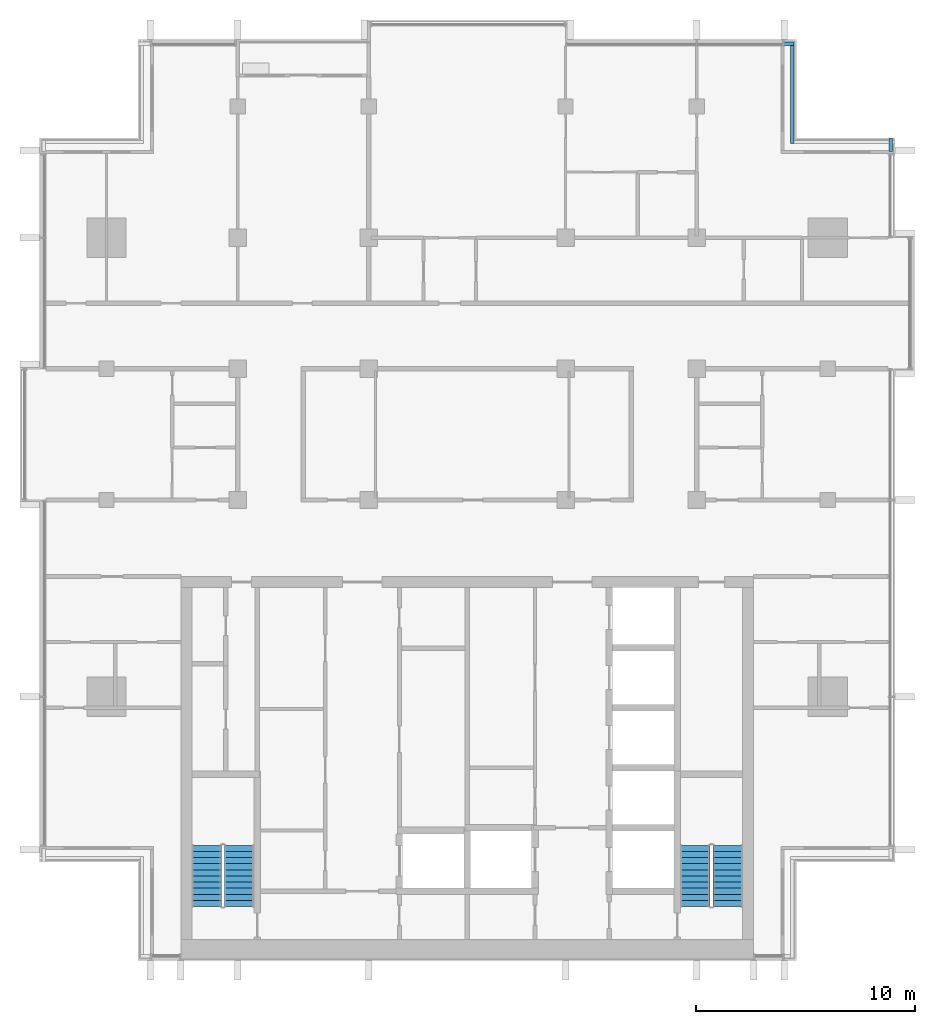
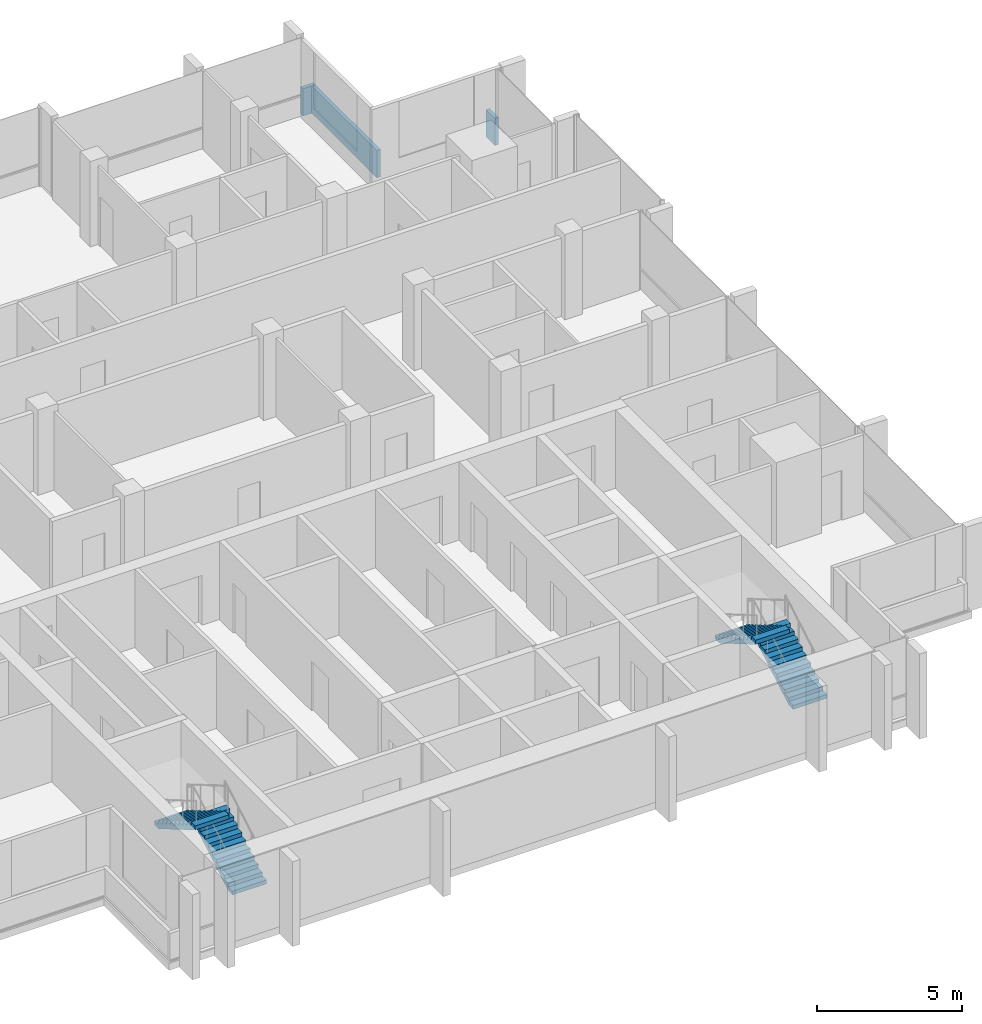
# One storey, part 11 of 16: 4 stair flights, 3 walls, 2 elements without a shape of their own.
"""IFC4 building model written with IfcOpenShell, lengths in metres."""

from ifc_helpers import new_model, si_unit, direction, frame, frame_2d, origin, place, context, subcontext, project, spatial, polyline, rectangle, outline, extrude, material, layer, layer_set, type_object, element, aggregate, save


model = new_model("IFC4")

# Units and contexts
model_context = context("Model", 3, precision=1e-05, world=origin(), true_north=direction((0.0, 1.0)))
body_context = subcontext(model_context, "Body", "Model", "MODEL_VIEW")
ifc_project = project(units=[si_unit("LENGTHUNIT", "METRE"), si_unit("AREAUNIT", "SQUARE_METRE"), si_unit("VOLUMEUNIT", "CUBIC_METRE"), si_unit("PLANEANGLEUNIT", "RADIAN"), si_unit("MASSUNIT", "GRAM", prefix="KILO")], contexts=[model_context])

# Site, building, storey
site_placement = place(None, origin())
site = spatial("IfcSite", under=ifc_project, at=site_placement, CompositionType="ELEMENT")
building_placement = place(site_placement, origin())
building = spatial("IfcBuilding", under=site, at=building_placement, Name="Finial Court Residences", CompositionType="ELEMENT")
storey_placement = place(building_placement, frame((0.0, 0.0, 255.5)))
storey = spatial("IfcBuildingStorey", under=building, at=storey_placement, Name="L64", CompositionType="ELEMENT", Elevation=255.5)

# Walls
ifc_material_1 = material(Name="Concrete C35/45", Category="concrete")
ifc_layer = layer(ifc_material_1, 0.14990234375)
ifc_layer_set = layer_set([ifc_layer], Name="Ledge parapet, Concrete C35/45 150")
wall_type = type_object("IfcWallType", Name="Ledge parapet, Concrete C35/45 150", PredefinedType="PARAPET", material=ifc_layer_set)
wall_1_placement = place(storey_placement, frame((19.375, 12.0625, 0.0), z_axis=(0.0, 0.0, 1.0), x_axis=(0.0, -1.0, 0.0)))
element("IfcWall", 1, at=wall_1_placement, inside=storey, type_object=wall_type, Name="E-L64-LED4-P1", PredefinedType="PARAPET", context=body_context, shape_type="SweptSolid", body=[
    extrude(rectangle(XDim=0.614990234375, YDim=0.14990234375, at=frame_2d((0.3076171875, 0.0))), origin(), (0.0, 0.0, 1.0), 1.14990234375),
])
wall_2_placement = place(storey_placement, frame((14.447509765625, 16.375, 0.0), z_axis=(0.0, 0.0, 1.0), x_axis=(1.0, 0.0, 0.0)))
element("IfcWall", 2, at=wall_2_placement, inside=storey, type_object=wall_type, Name="E-L64-LED4-P2", PredefinedType="PARAPET", context=body_context, shape_type="SweptSolid", body=[
    extrude(rectangle(XDim=0.50244140625, YDim=0.14990234375, at=frame_2d((0.251220703125, 0.0))), origin(), (0.0, 0.0, 1.0), 1.14990234375),
])
wall_3_placement = place(storey_placement, frame((14.875, 16.300048828125, 0.0), z_axis=(0.0, 0.0, 1.0), x_axis=(0.0, -1.0, 0.0)))
element("IfcWall", 3, at=wall_3_placement, inside=storey, type_object=wall_type, Name="E-L64-LED4-P3", PredefinedType="PARAPET", context=body_context, shape_type="SweptSolid", body=[
    extrude(rectangle(XDim=4.5, YDim=0.14990234375, at=frame_2d((2.25, 0.0))), origin(), (0.0, 0.0, 1.0), 1.14990234375),
])

# Stair, stair flights
ifc_material_2 = material(Name="Concrete C50/60", Category="concrete")
stair_type = type_object("IfcStairType", Name="Exit stair 22 risers of 163.6 mm", PredefinedType="HALF_TURN_STAIR", material=ifc_material_2)
stair_1_placement = place(storey_placement, origin())
stair_1 = element("IfcStair", 4, at=stair_1_placement, inside=storey, type_object=stair_type, Name="L64 Exit stair ST-1", PredefinedType="HALF_TURN_STAIR")
stair_flight_type = type_object("IfcStairFlightType", Name="Exit stair flight", PredefinedType="STRAIGHT", material=ifc_material_2)
stair_flight_1_placement = place(storey_placement, frame((-10.425048828125, -23.10009765625, 0.0), z_axis=(0.0, 0.0, 1.0), x_axis=(0.0, 1.0, 0.0)))
stair_flight_1 = element("IfcStairFlight", 5, at=stair_flight_1_placement, type_object=stair_flight_type, Name="ST-1 flight 1", NumberOfRisers=11, NumberOfTreads=10, PredefinedType="STRAIGHT", RiserHeight=0.163636364, TreadLength=0.28, context=body_context, shape_type="SweptSolid", body=[
    extrude(outline(polyline([(0.0, 0.0), (0.0, 0.16357421875), (0.280029296875, 0.16357421875), (0.280029296875, 0.327392578125), (0.56005859375, 0.327392578125), (0.56005859375, 0.490966796875), (0.840087890625, 0.490966796875), (0.840087890625, 0.654541015625), (1.1201171875, 0.654541015625), (1.1201171875, 0.818115234375), (1.39990234375, 0.818115234375), (1.39990234375, 0.98193359375), (1.679931640625, 0.98193359375), (1.679931640625, 1.1455078125), (1.9599609375, 1.1455078125), (1.9599609375, 1.30908203125), (2.239990234375, 1.30908203125), (2.239990234375, 1.47265625), (2.52001953125, 1.47265625), (2.52001953125, 1.636474609375), (2.800048828125, 1.636474609375), (2.800048828125, 1.800048828125), (2.800048828125, 1.462646484375), (0.297119140625, 0.0), (0.0, 0.0)])), frame((0.0, 0.675048828125, 0.0), z_axis=(0.0, -1.0, 0.0), x_axis=(1.0, 0.0, 0.0)), (0.0, 0.0, 1.0), 1.35009765625),
])
stair_flight_2_placement = place(storey_placement, frame((-11.925048828125, -20.300048828125, 1.800048828125), z_axis=(0.0, 0.0, 1.0), x_axis=(0.0, -1.0, 0.0)))
stair_flight_2 = element("IfcStairFlight", 6, at=stair_flight_2_placement, type_object=stair_flight_type, Name="ST-1 flight 2", NumberOfRisers=11, NumberOfTreads=10, PredefinedType="STRAIGHT", RiserHeight=0.163636364, TreadLength=0.28, context=body_context, shape_type="SweptSolid", body=[
    extrude(outline(polyline([(0.0, 0.0), (0.0, 0.16357421875), (0.280029296875, 0.16357421875), (0.280029296875, 0.327392578125), (0.56005859375, 0.327392578125), (0.56005859375, 0.490966796875), (0.840087890625, 0.490966796875), (0.840087890625, 0.654541015625), (1.1201171875, 0.654541015625), (1.1201171875, 0.818115234375), (1.39990234375, 0.818115234375), (1.39990234375, 0.98193359375), (1.679931640625, 0.98193359375), (1.679931640625, 1.1455078125), (1.9599609375, 1.1455078125), (1.9599609375, 1.30908203125), (2.239990234375, 1.30908203125), (2.239990234375, 1.47265625), (2.52001953125, 1.47265625), (2.52001953125, 1.636474609375), (2.800048828125, 1.636474609375), (2.800048828125, 1.800048828125), (2.800048828125, 1.462646484375), (0.297119140625, 0.0), (0.0, 0.0)])), frame((0.0, 0.675048828125, 0.0), z_axis=(0.0, -1.0, 0.0), x_axis=(1.0, 0.0, 0.0)), (0.0, 0.0, 1.0), 1.35009765625),
])
aggregate(stair_1, [stair_flight_1, stair_flight_2])

stair_2_placement = place(storey_placement, origin())
stair_2 = element("IfcStair", 7, at=stair_2_placement, inside=storey, type_object=stair_type, Name="L64 Exit stair ST-2", PredefinedType="HALF_TURN_STAIR")
stair_flight_3_placement = place(storey_placement, frame((11.925048828125, -23.10009765625, 0.0), z_axis=(0.0, 0.0, 1.0), x_axis=(0.0, 1.0, 0.0)))
stair_flight_3 = element("IfcStairFlight", 8, at=stair_flight_3_placement, type_object=stair_flight_type, Name="ST-2 flight 1", NumberOfRisers=11, NumberOfTreads=10, PredefinedType="STRAIGHT", RiserHeight=0.163636364, TreadLength=0.28, context=body_context, shape_type="SweptSolid", body=[
    extrude(outline(polyline([(0.0, 0.0), (0.0, 0.16357421875), (0.280029296875, 0.16357421875), (0.280029296875, 0.327392578125), (0.56005859375, 0.327392578125), (0.56005859375, 0.490966796875), (0.840087890625, 0.490966796875), (0.840087890625, 0.654541015625), (1.1201171875, 0.654541015625), (1.1201171875, 0.818115234375), (1.39990234375, 0.818115234375), (1.39990234375, 0.98193359375), (1.679931640625, 0.98193359375), (1.679931640625, 1.1455078125), (1.9599609375, 1.1455078125), (1.9599609375, 1.30908203125), (2.239990234375, 1.30908203125), (2.239990234375, 1.47265625), (2.52001953125, 1.47265625), (2.52001953125, 1.636474609375), (2.800048828125, 1.636474609375), (2.800048828125, 1.800048828125), (2.800048828125, 1.462646484375), (0.297119140625, 0.0), (0.0, 0.0)])), frame((0.0, 0.675048828125, 0.0), z_axis=(0.0, -1.0, 0.0), x_axis=(1.0, 0.0, 0.0)), (0.0, 0.0, 1.0), 1.35009765625),
])
stair_flight_4_placement = place(storey_placement, frame((10.425048828125, -20.300048828125, 1.800048828125), z_axis=(0.0, 0.0, 1.0), x_axis=(0.0, -1.0, 0.0)))
stair_flight_4 = element("IfcStairFlight", 9, at=stair_flight_4_placement, type_object=stair_flight_type, Name="ST-2 flight 2", NumberOfRisers=11, NumberOfTreads=10, PredefinedType="STRAIGHT", RiserHeight=0.163636364, TreadLength=0.28, context=body_context, shape_type="SweptSolid", body=[
    extrude(outline(polyline([(0.0, 0.0), (0.0, 0.16357421875), (0.280029296875, 0.16357421875), (0.280029296875, 0.327392578125), (0.56005859375, 0.327392578125), (0.56005859375, 0.490966796875), (0.840087890625, 0.490966796875), (0.840087890625, 0.654541015625), (1.1201171875, 0.654541015625), (1.1201171875, 0.818115234375), (1.39990234375, 0.818115234375), (1.39990234375, 0.98193359375), (1.679931640625, 0.98193359375), (1.679931640625, 1.1455078125), (1.9599609375, 1.1455078125), (1.9599609375, 1.30908203125), (2.239990234375, 1.30908203125), (2.239990234375, 1.47265625), (2.52001953125, 1.47265625), (2.52001953125, 1.636474609375), (2.800048828125, 1.636474609375), (2.800048828125, 1.800048828125), (2.800048828125, 1.462646484375), (0.297119140625, 0.0), (0.0, 0.0)])), frame((0.0, 0.675048828125, 0.0), z_axis=(0.0, -1.0, 0.0), x_axis=(1.0, 0.0, 0.0)), (0.0, 0.0, 1.0), 1.35009765625),
])
aggregate(stair_2, [stair_flight_3, stair_flight_4])

save(model, "model.ifc")
